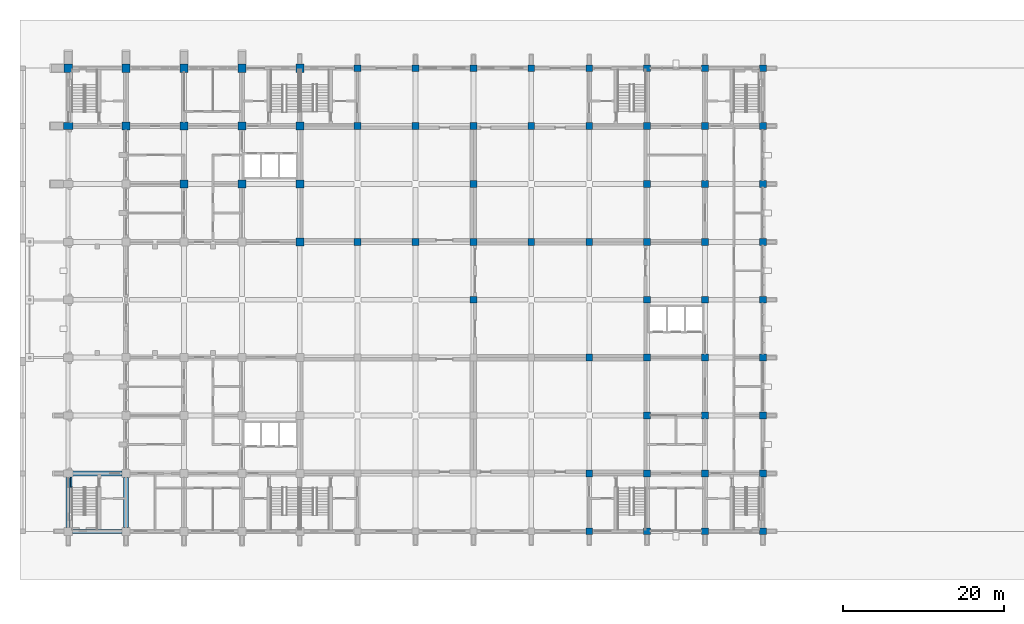
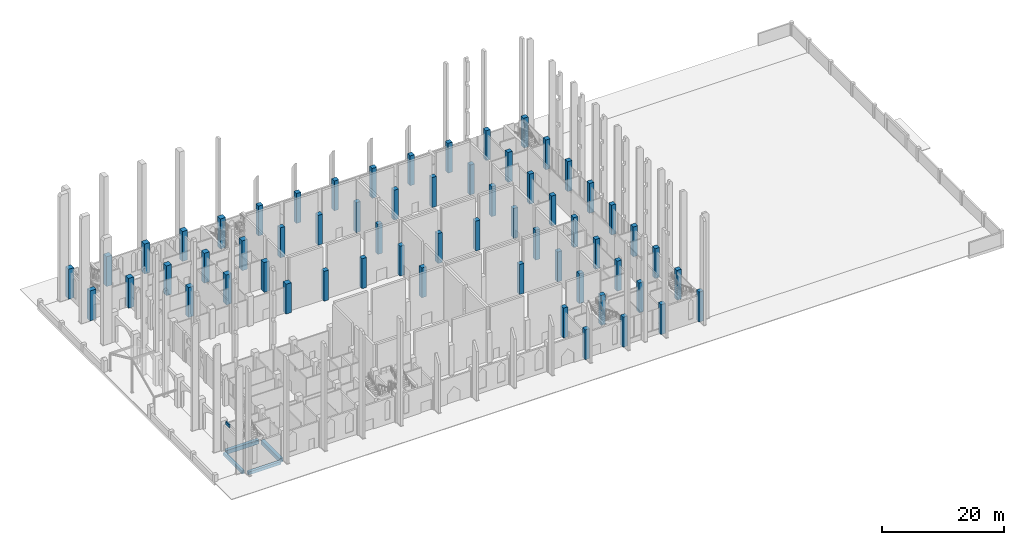
# One storey, part 5 of 50: 61 columns, 5 beams.
"""IFC4 building model written with IfcOpenShell, lengths in metres."""

from ifc_helpers import new_model, si_unit, direction, frame, origin, origin_2d, place, context, subcontext, project, spatial, rectangle, extrude, material, material_profile, profile_set, type_object, element, save


model = new_model("IFC4")

# Units and contexts
model_context = context("Model", 3, precision=1e-05, world=origin(), true_north=direction((0.0, 1.0)))
body_context = subcontext(model_context, "Body", "Model", "MODEL_VIEW")
ifc_project = project(units=[si_unit("LENGTHUNIT", "METRE"), si_unit("AREAUNIT", "SQUARE_METRE"), si_unit("VOLUMEUNIT", "CUBIC_METRE"), si_unit("PLANEANGLEUNIT", "RADIAN"), si_unit("MASSUNIT", "GRAM", prefix="KILO")], contexts=[model_context])

# Site, building, storey
site_placement = place(None, origin())
site = spatial("IfcSite", under=ifc_project, at=site_placement, CompositionType="ELEMENT")
building_placement = place(site_placement, origin())
building = spatial("IfcBuilding", under=site, at=building_placement, Name="Silangan Lancet Faculty of Sciences", CompositionType="ELEMENT")
storey_placement = place(building_placement, origin())
storey = spatial("IfcBuildingStorey", under=building, at=storey_placement, Name="L00", CompositionType="ELEMENT", Elevation=0.0)

# Columns
ifc_material_1 = material(Name="Concrete C50/60", Category="concrete")
ifc_material_profile_1 = material_profile(ifc_material_1, rectangle(XDim=1.0, YDim=1.0, at=origin_2d()), Name="RC 1000x1000")
ifc_profile_set_1 = profile_set([ifc_material_profile_1], Name="Concrete C50/60")
column_type_1 = type_object("IfcColumnType", Name="COLUMN RC 1000x1000", PredefinedType="COLUMN", material=ifc_profile_set_1)
for number, where, z_axis, x_axis, name in (
    (1, (0.0, 57.60009765625, 0.0), (0.0, 0.0, 1.0), (1.0, 0.0, 0.0), "COL-L00-1I"),
    (2, (7.199951171875, 50.39990234375, 0.0), (0.0, 0.0, 1.0), (1.0, 0.0, 0.0), "COL-L00-2H"),
    (3, (7.199951171875, 57.60009765625, 0.0), (0.0, 0.0, 1.0), (1.0, 0.0, 0.0), "COL-L00-2I"),
    (4, (14.39990234375, 43.199951171875, 0.0), (0.0, 0.0, 1.0), (1.0, 0.0, 0.0), "COL-L00-3G"),
    (5, (14.39990234375, 50.39990234375, 0.0), (0.0, 0.0, 1.0), (1.0, 0.0, 0.0), "COL-L00-3H"),
    (6, (14.39990234375, 57.60009765625, 0.0), (0.0, 0.0, 1.0), (1.0, 0.0, 0.0), "COL-L00-3I"),
    (7, (21.60009765625, 43.199951171875, 0.0), (0.0, 0.0, 1.0), (1.0, 0.0, 0.0), "COL-L00-4G"),
    (8, (21.60009765625, 50.39990234375, 0.0), (0.0, 0.0, 1.0), (1.0, 0.0, 0.0), "COL-L00-4H"),
    (9, (21.60009765625, 57.60009765625, 0.0), (0.0, 0.0, 1.0), (1.0, 0.0, 0.0), "COL-L00-4I"),
    (10, (28.800048828125, 36.0, 0.0), (0.0, 0.0, 1.0), (1.0, 0.0, 0.0), "COL-L00-5F"),
    (11, (28.800048828125, 43.199951171875, 0.0), (0.0, 0.0, 1.0), (1.0, 0.0, 0.0), "COL-L00-5G"),
    (12, (28.800048828125, 50.39990234375, 0.0), (0.0, 0.0, 1.0), (1.0, 0.0, 0.0), "COL-L00-5H"),
    (13, (28.800048828125, 57.60009765625, 0.0), (0.0, 0.0, 1.0), (1.0, 0.0, 0.0), "COL-L00-5I"),
):
    element("IfcColumn", number, at=place(storey_placement, frame(where, z_axis=z_axis, x_axis=x_axis)), inside=storey, type_object=column_type_1, Name=name, PredefinedType="COLUMN", context=body_context, shape_type="SweptSolid", body=[
        extrude(rectangle(XDim=1.0, YDim=1.0, at=origin_2d()), origin(), (0.0, 0.0, 1.0), 6.0),
    ])
ifc_material_2 = material(Name="Concrete C50/60", Category="concrete")
ifc_material_profile_2 = material_profile(ifc_material_2, rectangle(XDim=1.199951171875, YDim=0.89990234375, at=origin_2d()), Name="RC 1200x900")
ifc_profile_set_2 = profile_set([ifc_material_profile_2], Name="Concrete C50/60")
column_type_2 = type_object("IfcColumnType", Name="COLUMN RC 1200x900", PredefinedType="COLUMN", material=ifc_profile_set_2)
column_placement = place(storey_placement, frame((0.0, 50.39990234375, 0.0), z_axis=(0.0, 0.0, 1.0), x_axis=(1.0, 0.0, 0.0)))
element("IfcColumn", 14, at=column_placement, inside=storey, type_object=column_type_2, Name="COL-L00-1H", PredefinedType="COLUMN", context=body_context, shape_type="SweptSolid", body=[
    extrude(rectangle(XDim=1.199951171875, YDim=0.89990234375, at=origin_2d()), origin(), (0.0, 0.0, 1.0), 6.0),
])
ifc_material_3 = material(Name="Concrete C40/50", Category="concrete")
ifc_material_profile_3 = material_profile(ifc_material_3, rectangle(XDim=0.85009765625, YDim=0.85009765625, at=origin_2d()), Name="RC 850x850")
ifc_profile_set_3 = profile_set([ifc_material_profile_3], Name="Concrete C40/50")
column_type_3 = type_object("IfcColumnType", Name="COLUMN RC 850x850", PredefinedType="COLUMN", material=ifc_profile_set_3)
for number, where, z_axis, x_axis, name in (
    (15, (36.0, 36.0, 0.0), (0.0, 0.0, 1.0), (1.0, 0.0, 0.0), "COL-L00-6F"),
    (16, (36.0, 50.39990234375, 0.0), (0.0, 0.0, 1.0), (1.0, 0.0, 0.0), "COL-L00-6H"),
    (17, (36.0, 57.60009765625, 0.0), (0.0, 0.0, 1.0), (1.0, 0.0, 0.0), "COL-L00-6I"),
    (18, (43.199951171875, 36.0, 0.0), (0.0, 0.0, 1.0), (1.0, 0.0, 0.0), "COL-L00-7F"),
    (19, (43.199951171875, 50.39990234375, 0.0), (0.0, 0.0, 1.0), (1.0, 0.0, 0.0), "COL-L00-7H"),
    (20, (43.199951171875, 57.60009765625, 0.0), (0.0, 0.0, 1.0), (1.0, 0.0, 0.0), "COL-L00-7I"),
    (21, (50.39990234375, 28.800048828125, 0.0), (0.0, 0.0, 1.0), (1.0, 0.0, 0.0), "COL-L00-8E"),
    (22, (50.39990234375, 36.0, 0.0), (0.0, 0.0, 1.0), (1.0, 0.0, 0.0), "COL-L00-8F"),
    (23, (50.39990234375, 43.199951171875, 0.0), (0.0, 0.0, 1.0), (1.0, 0.0, 0.0), "COL-L00-8G"),
    (24, (50.39990234375, 50.39990234375, 0.0), (0.0, 0.0, 1.0), (1.0, 0.0, 0.0), "COL-L00-8H"),
    (25, (50.39990234375, 57.60009765625, 0.0), (0.0, 0.0, 1.0), (1.0, 0.0, 0.0), "COL-L00-8I"),
    (26, (57.60009765625, 36.0, 0.0), (0.0, 0.0, 1.0), (1.0, 0.0, 0.0), "COL-L00-9F"),
    (27, (57.60009765625, 50.39990234375, 0.0), (0.0, 0.0, 1.0), (1.0, 0.0, 0.0), "COL-L00-9H"),
    (28, (57.60009765625, 57.60009765625, 0.0), (0.0, 0.0, 1.0), (1.0, 0.0, 0.0), "COL-L00-9I"),
    (29, (64.800048828125, 0.0, 0.0), (0.0, 0.0, 1.0), (1.0, 0.0, 0.0), "COL-L00-10A"),
    (30, (64.800048828125, 7.199951171875, 0.0), (0.0, 0.0, 1.0), (1.0, 0.0, 0.0), "COL-L00-10B"),
    (31, (64.800048828125, 21.60009765625, 0.0), (0.0, 0.0, 1.0), (1.0, 0.0, 0.0), "COL-L00-10D"),
    (32, (64.800048828125, 36.0, 0.0), (0.0, 0.0, 1.0), (1.0, 0.0, 0.0), "COL-L00-10F"),
    (33, (64.800048828125, 50.39990234375, 0.0), (0.0, 0.0, 1.0), (1.0, 0.0, 0.0), "COL-L00-10H"),
    (34, (64.800048828125, 57.60009765625, 0.0), (0.0, 0.0, 1.0), (1.0, 0.0, 0.0), "COL-L00-10I"),
    (35, (72.0, 0.0, 0.0), (0.0, 0.0, 1.0), (1.0, 0.0, 0.0), "COL-L00-11A"),
    (36, (72.0, 7.199951171875, 0.0), (0.0, 0.0, 1.0), (1.0, 0.0, 0.0), "COL-L00-11B"),
    (37, (72.0, 14.39990234375, 0.0), (0.0, 0.0, 1.0), (1.0, 0.0, 0.0), "COL-L00-11C"),
    (38, (72.0, 21.60009765625, 0.0), (0.0, 0.0, 1.0), (1.0, 0.0, 0.0), "COL-L00-11D"),
    (39, (72.0, 28.800048828125, 0.0), (0.0, 0.0, 1.0), (1.0, 0.0, 0.0), "COL-L00-11E"),
    (40, (72.0, 36.0, 0.0), (0.0, 0.0, 1.0), (1.0, 0.0, 0.0), "COL-L00-11F"),
    (41, (72.0, 43.199951171875, 0.0), (0.0, 0.0, 1.0), (1.0, 0.0, 0.0), "COL-L00-11G"),
    (42, (72.0, 50.39990234375, 0.0), (0.0, 0.0, 1.0), (1.0, 0.0, 0.0), "COL-L00-11H"),
    (43, (72.0, 57.60009765625, 0.0), (0.0, 0.0, 1.0), (1.0, 0.0, 0.0), "COL-L00-11I"),
    (44, (79.199951171875, 0.0, 0.0), (0.0, 0.0, 1.0), (1.0, 0.0, 0.0), "COL-L00-12A"),
    (45, (79.199951171875, 7.199951171875, 0.0), (0.0, 0.0, 1.0), (1.0, 0.0, 0.0), "COL-L00-12B"),
    (46, (79.199951171875, 14.39990234375, 0.0), (0.0, 0.0, 1.0), (1.0, 0.0, 0.0), "COL-L00-12C"),
    (47, (79.199951171875, 21.60009765625, 0.0), (0.0, 0.0, 1.0), (1.0, 0.0, 0.0), "COL-L00-12D"),
    (48, (79.199951171875, 28.800048828125, 0.0), (0.0, 0.0, 1.0), (1.0, 0.0, 0.0), "COL-L00-12E"),
    (49, (79.199951171875, 36.0, 0.0), (0.0, 0.0, 1.0), (1.0, 0.0, 0.0), "COL-L00-12F"),
    (50, (79.199951171875, 43.199951171875, 0.0), (0.0, 0.0, 1.0), (1.0, 0.0, 0.0), "COL-L00-12G"),
    (51, (79.199951171875, 50.39990234375, 0.0), (0.0, 0.0, 1.0), (1.0, 0.0, 0.0), "COL-L00-12H"),
    (52, (79.199951171875, 57.60009765625, 0.0), (0.0, 0.0, 1.0), (1.0, 0.0, 0.0), "COL-L00-12I"),
    (53, (86.39990234375, 0.0, 0.0), (0.0, 0.0, 1.0), (1.0, 0.0, 0.0), "COL-L00-13A"),
    (54, (86.39990234375, 7.199951171875, 0.0), (0.0, 0.0, 1.0), (1.0, 0.0, 0.0), "COL-L00-13B"),
    (55, (86.39990234375, 14.39990234375, 0.0), (0.0, 0.0, 1.0), (1.0, 0.0, 0.0), "COL-L00-13C"),
    (56, (86.39990234375, 21.60009765625, 0.0), (0.0, 0.0, 1.0), (1.0, 0.0, 0.0), "COL-L00-13D"),
    (57, (86.39990234375, 28.800048828125, 0.0), (0.0, 0.0, 1.0), (1.0, 0.0, 0.0), "COL-L00-13E"),
    (58, (86.39990234375, 36.0, 0.0), (0.0, 0.0, 1.0), (1.0, 0.0, 0.0), "COL-L00-13F"),
    (59, (86.39990234375, 43.199951171875, 0.0), (0.0, 0.0, 1.0), (1.0, 0.0, 0.0), "COL-L00-13G"),
    (60, (86.39990234375, 50.39990234375, 0.0), (0.0, 0.0, 1.0), (1.0, 0.0, 0.0), "COL-L00-13H"),
    (61, (86.39990234375, 57.60009765625, 0.0), (0.0, 0.0, 1.0), (1.0, 0.0, 0.0), "COL-L00-13I"),
):
    element("IfcColumn", number, at=place(storey_placement, frame(where, z_axis=z_axis, x_axis=x_axis)), inside=storey, type_object=column_type_3, Name=name, PredefinedType="COLUMN", context=body_context, shape_type="SweptSolid", body=[
        extrude(rectangle(XDim=0.85009765625, YDim=0.85009765625, at=origin_2d()), origin(), (0.0, 0.0, 1.0), 6.0),
    ])

# Beams
ifc_material_4 = material(Name="Concrete C40/50", Category="concrete")
ifc_material_profile_4 = material_profile(ifc_material_4, rectangle(XDim=0.199951171875, YDim=0.60009765625, at=origin_2d()), Name="RC 200x600")
ifc_profile_set_4 = profile_set([ifc_material_profile_4], Name="Concrete C40/50")
beam_type_1 = type_object("IfcBeamType", Name="BEAM RC 200x600", PredefinedType="BEAM", material=ifc_profile_set_4)
beam_placement = place(storey_placement, frame((0.35009765625, 5.489990234375, 5.449951171875), z_axis=(0.0, 1.0, 0.0), x_axis=(-1.0, 0.0, 0.0)))
element("IfcBeam", 62, at=beam_placement, inside=storey, type_object=beam_type_1, Name="HDR-L00-ST-A-1", PredefinedType="BEAM", context=body_context, shape_type="SweptSolid", body=[
    extrude(rectangle(XDim=0.199951171875, YDim=0.60009765625, at=origin_2d()), origin(), (0.0, 0.0, 1.0), 1.260009765625),
])
ifc_material_5 = material(Name="Concrete C40/50", Category="concrete")
ifc_material_profile_5 = material_profile(ifc_material_5, rectangle(XDim=0.5, YDim=0.60009765625, at=origin_2d()), Name="RC 500x600")
ifc_profile_set_5 = profile_set([ifc_material_profile_5], Name="Concrete C40/50")
beam_type_2 = type_object("IfcBeamType", Name="BEAM RC 500x600", PredefinedType="BEAM", material=ifc_profile_set_5)
for number, where, z_axis, x_axis, name in (
    (63, (0.5, 0.0, -0.60009765625), (1.0, 0.0, 0.0), (0.0, 1.0, 0.0), "BM-L00-1A-2A"),
    (64, (0.0, 0.5, -0.60009765625), (0.0, 1.0, 0.0), (-1.0, 0.0, 0.0), "BM-L00-1A-1B"),
):
    element("IfcBeam", number, at=place(storey_placement, frame(where, z_axis=z_axis, x_axis=x_axis)), inside=storey, type_object=beam_type_2, Name=name, PredefinedType="BEAM", context=body_context, shape_type="SweptSolid", body=[
        extrude(rectangle(XDim=0.5, YDim=0.60009765625, at=origin_2d()), origin(), (0.0, 0.0, 1.0), 6.199951171875),
    ])
ifc_material_6 = material(Name="Concrete C40/50", Category="concrete")
ifc_material_profile_6 = material_profile(ifc_material_6, rectangle(XDim=0.60009765625, YDim=0.800048828125, at=origin_2d()), Name="RC 600x800")
ifc_profile_set_6 = profile_set([ifc_material_profile_6], Name="Concrete C40/50")
beam_type_3 = type_object("IfcBeamType", Name="BEAM RC 600x800", PredefinedType="BEAM", material=ifc_profile_set_6)
for number, where, z_axis, x_axis, name in (
    (65, (0.5, 7.199951171875, -0.699951171875), (1.0, 0.0, 0.0), (0.0, 1.0, 0.0), "BM-L00-1B-2B"),
    (66, (7.199951171875, 0.5, -0.699951171875), (0.0, 1.0, 0.0), (-1.0, 0.0, 0.0), "BM-L00-2A-2B"),
):
    element("IfcBeam", number, at=place(storey_placement, frame(where, z_axis=z_axis, x_axis=x_axis)), inside=storey, type_object=beam_type_3, Name=name, PredefinedType="BEAM", context=body_context, shape_type="SweptSolid", body=[
        extrude(rectangle(XDim=0.60009765625, YDim=0.800048828125, at=origin_2d()), origin(), (0.0, 0.0, 1.0), 6.199951171875),
    ])

save(model, "model.ifc")
